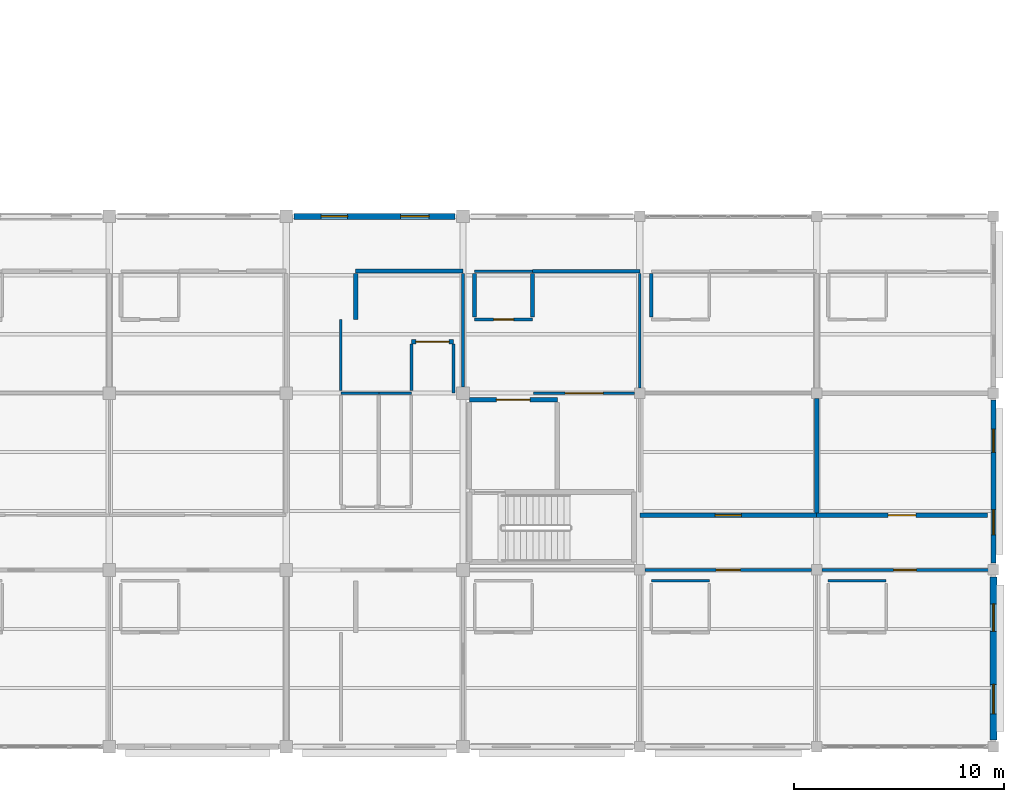
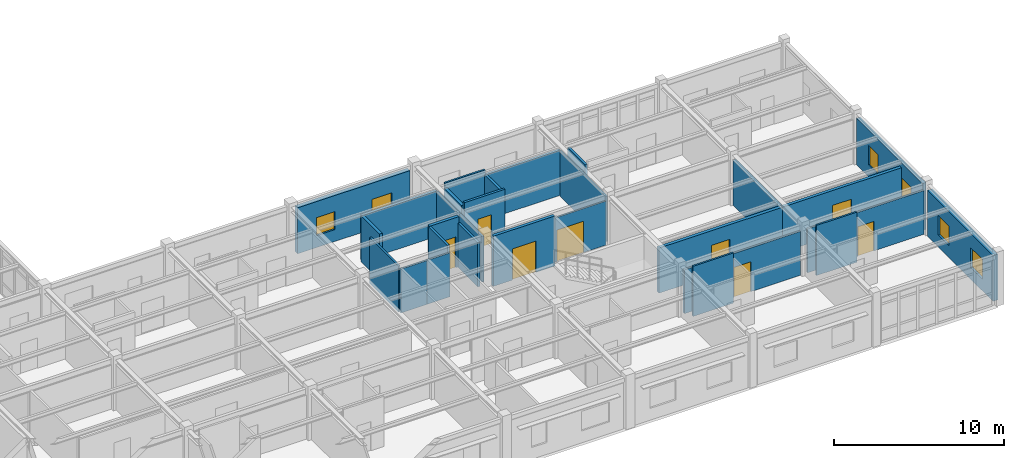
# One storey, part 66 of 86: 28 walls, 8 doors, 6 windows, 14 openings.
"""IFC4 building model written with IfcOpenShell, lengths in metres."""

from ifc_helpers import new_model, si_unit, direction, frame, frame_2d, origin, place, context, subcontext, project, spatial, rectangle, extrude, material, layer, layer_set, type_object, element, fill, save


model = new_model("IFC4")

# Units and contexts
model_context = context("Model", 3, precision=1e-05, world=origin(), true_north=direction((0.0, 1.0)))
body_context = subcontext(model_context, "Body", "Model", "MODEL_VIEW")
ifc_project = project(units=[si_unit("LENGTHUNIT", "METRE"), si_unit("AREAUNIT", "SQUARE_METRE"), si_unit("VOLUMEUNIT", "CUBIC_METRE"), si_unit("PLANEANGLEUNIT", "RADIAN"), si_unit("MASSUNIT", "GRAM", prefix="KILO")], contexts=[model_context])

# Site, building, storey
site_placement = place(None, origin())
site = spatial("IfcSite", under=ifc_project, at=site_placement, CompositionType="ELEMENT")
building_placement = place(site_placement, origin())
building = spatial("IfcBuilding", under=site, at=building_placement, Name="Bramfleet General Hospital", CompositionType="ELEMENT")
storey_placement = place(building_placement, frame((0.0, 0.0, 18.60009765625)))
storey = spatial("IfcBuildingStorey", under=building, at=storey_placement, Name="L04", CompositionType="ELEMENT", Elevation=18.60009765625)

# Wall, openings, windows
ifc_material_1 = material(Name="Precast concrete C40/50", Category="concrete")
ifc_layer_1 = layer(ifc_material_1, 0.3349609375, Name="WT-EW-03")
ifc_layer_set_1 = layer_set([ifc_layer_1], Name="Precast concrete C40/50")
wall_type_1 = type_object("IfcWallType", Name="WT-EW-03", PredefinedType="SOLIDWALL", material=ifc_layer_set_1)
wall_1_placement = place(storey_placement, frame((168.0, 8.074951171875, 0.0), z_axis=(0.0, 0.0, 1.0), x_axis=(0.0, -1.0, 0.0)))
wall_1 = element("IfcWall", 1, at=wall_1_placement, inside=storey, type_object=wall_type_1, Name="L04 Exterior Wall 316", PredefinedType="SOLIDWALL", context=body_context, shape_type="SweptSolid", body=[
    extrude(rectangle(XDim=7.75, YDim=0.3349609375, at=frame_2d((3.875, 0.0))), origin(), (0.0, 0.0, 1.0), 3.2998046875),
])
opening_1_placement = place(wall_1_placement, frame((1.28759765625, 0.0, 0.85009765625)))
opening_1 = element("IfcOpeningElement", 2, at=opening_1_placement, cuts=wall_1, Name="Opening W-14", PredefinedType="OPENING", context=body_context, shape_type="SweptSolid", body=[
    extrude(rectangle(XDim=1.300048828125, YDim=1.419921875, at=frame_2d((0.64990234375, 0.7099609375))), frame((0.0, 0.177490234375, 0.0), z_axis=(0.0, -1.0, 0.0), x_axis=(1.0, 0.0, 0.0)), (0.0, 0.0, 1.0), 0.35498046875),
])
opening_2_placement = place(wall_1_placement, frame((5.112548828125, 0.0, 0.85009765625)))
opening_2 = element("IfcOpeningElement", 3, at=opening_2_placement, cuts=wall_1, Name="Opening W-15", PredefinedType="OPENING", context=body_context, shape_type="SweptSolid", body=[
    extrude(rectangle(XDim=1.39990234375, YDim=1.419921875, at=frame_2d((0.699951171875, 0.7099609375))), frame((0.0, 0.177490234375, 0.0), z_axis=(0.0, -1.0, 0.0), x_axis=(1.0, 0.0, 0.0)), (0.0, 0.0, 1.0), 0.35498046875),
])
ifc_material_2 = material(Name="Anodised aluminium and low-E triple glazing", Category="aluminium")
window_type_1 = type_object("IfcWindowType", Name="WIN-W-14", PartitioningType="SINGLE_PANEL", PredefinedType="WINDOW", material=ifc_material_2)
window_1_placement = place(opening_1_placement, origin())
window_1 = element("IfcWindow", 4, at=window_1_placement, inside=storey, type_object=window_type_1, Name="L04 Facade Window WIN-L04-316-1", OverallHeight=1.419921875, OverallWidth=1.300048828125, PartitioningType="SINGLE_PANEL", PredefinedType="WINDOW", context=body_context, shape_type="SweptSolid", body=[
    extrude(rectangle(XDim=1.300048828125, YDim=1.419921875, at=frame_2d((0.64990234375, 0.7099609375))), frame((0.0, 0.030029296875, 0.0), z_axis=(0.0, -1.0, 0.0), x_axis=(1.0, 0.0, 0.0)), (0.0, 0.0, 1.0), 0.06005859375),
])
fill(opening_1, window_1)
window_type_2 = type_object("IfcWindowType", Name="WIN-W-15", PartitioningType="SINGLE_PANEL", PredefinedType="WINDOW", material=ifc_material_2)
window_2_placement = place(opening_2_placement, origin())
window_2 = element("IfcWindow", 5, at=window_2_placement, inside=storey, type_object=window_type_2, Name="L04 Facade Window WIN-L04-316-2", OverallHeight=1.419921875, OverallWidth=1.39990234375, PartitioningType="SINGLE_PANEL", PredefinedType="WINDOW", context=body_context, shape_type="SweptSolid", body=[
    extrude(rectangle(XDim=1.39990234375, YDim=1.419921875, at=frame_2d((0.699951171875, 0.7099609375))), frame((0.0, 0.030029296875, 0.0), z_axis=(0.0, -1.0, 0.0), x_axis=(1.0, 0.0, 0.0)), (0.0, 0.0, 1.0), 0.06005859375),
])
fill(opening_2, window_2)

ifc_layer_2 = layer(ifc_material_1, 0.294921875, Name="WT-EW-05")
ifc_layer_set_2 = layer_set([ifc_layer_2], Name="Precast concrete C40/50")
wall_type_2 = type_object("IfcWallType", Name="WT-EW-05", PredefinedType="SOLIDWALL", material=ifc_layer_set_2)
wall_2_placement = place(storey_placement, frame((134.77490234375, 25.199951171875, 0.0), z_axis=(0.0, 0.0, 1.0), x_axis=(1.0, 0.0, 0.0)))
wall_2 = element("IfcWall", 6, at=wall_2_placement, inside=storey, type_object=wall_type_2, Name="L04 Exterior Wall 311", PredefinedType="SOLIDWALL", context=body_context, shape_type="SweptSolid", body=[
    extrude(rectangle(XDim=7.650146484375, YDim=0.294921875, at=frame_2d((3.8251953125, 0.0))), origin(), (0.0, 0.0, 1.0), 3.309814453125),
])
opening_3_placement = place(wall_2_placement, frame((1.28759765625, 0.0, 0.85009765625)))
opening_3 = element("IfcOpeningElement", 7, at=opening_3_placement, cuts=wall_2, Name="Opening W-04", PredefinedType="OPENING", context=body_context, shape_type="SweptSolid", body=[
    extrude(rectangle(XDim=1.25, YDim=1.300048828125, at=frame_2d((0.625, 0.64990234375))), frame((0.0, 0.157470703125, 0.0), z_axis=(0.0, -1.0, 0.0), x_axis=(1.0, 0.0, 0.0)), (0.0, 0.0, 1.0), 0.31494140625),
])
opening_4_placement = place(wall_2_placement, frame((5.0625, 0.0, 0.85009765625)))
opening_4 = element("IfcOpeningElement", 8, at=opening_4_placement, cuts=wall_2, Name="Opening W-05", PredefinedType="OPENING", context=body_context, shape_type="SweptSolid", body=[
    extrude(rectangle(XDim=1.35009765625, YDim=1.300048828125, at=frame_2d((0.675048828125, 0.64990234375))), frame((0.0, 0.157470703125, 0.0), z_axis=(0.0, -1.0, 0.0), x_axis=(1.0, 0.0, 0.0)), (0.0, 0.0, 1.0), 0.31494140625),
])
window_type_3 = type_object("IfcWindowType", Name="WIN-W-04", PartitioningType="SINGLE_PANEL", PredefinedType="WINDOW", material=ifc_material_2)
window_3_placement = place(opening_3_placement, origin())
window_3 = element("IfcWindow", 9, at=window_3_placement, inside=storey, type_object=window_type_3, Name="L04 Facade Window WIN-L04-311-1", OverallHeight=1.300048828125, OverallWidth=1.25, PartitioningType="SINGLE_PANEL", PredefinedType="WINDOW", context=body_context, shape_type="SweptSolid", body=[
    extrude(rectangle(XDim=1.25, YDim=1.300048828125, at=frame_2d((0.625, 0.64990234375))), frame((0.0, 0.030029296875, 0.0), z_axis=(0.0, -1.0, 0.0), x_axis=(1.0, 0.0, 0.0)), (0.0, 0.0, 1.0), 0.06005859375),
])
fill(opening_3, window_3)
window_type_4 = type_object("IfcWindowType", Name="WIN-W-05", PartitioningType="SINGLE_PANEL", PredefinedType="WINDOW", material=ifc_material_2)
window_4_placement = place(opening_4_placement, origin())
window_4 = element("IfcWindow", 10, at=window_4_placement, inside=storey, type_object=window_type_4, Name="L04 Facade Window WIN-L04-311-2", OverallHeight=1.300048828125, OverallWidth=1.35009765625, PartitioningType="SINGLE_PANEL", PredefinedType="WINDOW", context=body_context, shape_type="SweptSolid", body=[
    extrude(rectangle(XDim=1.35009765625, YDim=1.300048828125, at=frame_2d((0.675048828125, 0.64990234375))), frame((0.0, 0.030029296875, 0.0), z_axis=(0.0, -1.0, 0.0), x_axis=(1.0, 0.0, 0.0)), (0.0, 0.0, 1.0), 0.06005859375),
])
fill(opening_4, window_4)

ifc_layer_3 = layer(ifc_material_1, 0.235107421875, Name="WT-EW-09")
ifc_layer_set_3 = layer_set([ifc_layer_3], Name="Precast concrete C40/50")
wall_type_3 = type_object("IfcWallType", Name="WT-EW-09", PredefinedType="SOLIDWALL", material=ifc_layer_set_3)
wall_3_placement = place(storey_placement, frame((168.0, 16.47509765625, 0.0), z_axis=(0.0, 0.0, 1.0), x_axis=(0.0, -1.0, 0.0)))
wall_3 = element("IfcWall", 11, at=wall_3_placement, inside=storey, type_object=wall_type_3, Name="L04 Exterior Wall 315", PredefinedType="SOLIDWALL", context=body_context, shape_type="SweptSolid", body=[
    extrude(rectangle(XDim=7.75, YDim=0.235107421875, at=frame_2d((3.875, 0.0))), origin(), (0.0, 0.0, 1.0), 3.369873046875),
])
opening_5_placement = place(wall_3_placement, frame((1.387451171875, 0.0, 0.85009765625)))
opening_5 = element("IfcOpeningElement", 12, at=opening_5_placement, cuts=wall_3, Name="Opening W-12", PredefinedType="OPENING", context=body_context, shape_type="SweptSolid", body=[
    extrude(rectangle(XDim=1.10009765625, YDim=1.419921875, at=frame_2d((0.550048828125, 0.7099609375))), frame((0.0, 0.12744140625, 0.0), z_axis=(0.0, -1.0, 0.0), x_axis=(1.0, 0.0, 0.0)), (0.0, 0.0, 1.0), 0.255126953125),
])
opening_6_placement = place(wall_3_placement, frame((5.21240234375, 0.0, 0.85009765625)))
opening_6 = element("IfcOpeningElement", 13, at=opening_6_placement, cuts=wall_3, Name="Opening W-13", PredefinedType="OPENING", context=body_context, shape_type="SweptSolid", body=[
    extrude(rectangle(XDim=1.199951171875, YDim=1.419921875, at=frame_2d((0.60009765625, 0.7099609375))), frame((0.0, 0.12744140625, 0.0), z_axis=(0.0, -1.0, 0.0), x_axis=(1.0, 0.0, 0.0)), (0.0, 0.0, 1.0), 0.255126953125),
])
window_type_5 = type_object("IfcWindowType", Name="WIN-W-12", PartitioningType="SINGLE_PANEL", PredefinedType="WINDOW", material=ifc_material_2)
window_5_placement = place(opening_5_placement, origin())
window_5 = element("IfcWindow", 14, at=window_5_placement, inside=storey, type_object=window_type_5, Name="L04 Facade Window WIN-L04-315-1", OverallHeight=1.419921875, OverallWidth=1.10009765625, PartitioningType="SINGLE_PANEL", PredefinedType="WINDOW", context=body_context, shape_type="SweptSolid", body=[
    extrude(rectangle(XDim=1.10009765625, YDim=1.419921875, at=frame_2d((0.550048828125, 0.7099609375))), frame((0.0, 0.030029296875, 0.0), z_axis=(0.0, -1.0, 0.0), x_axis=(1.0, 0.0, 0.0)), (0.0, 0.0, 1.0), 0.06005859375),
])
fill(opening_5, window_5)
window_type_6 = type_object("IfcWindowType", Name="WIN-W-13", PartitioningType="SINGLE_PANEL", PredefinedType="WINDOW", material=ifc_material_2)
window_6_placement = place(opening_6_placement, origin())
window_6 = element("IfcWindow", 15, at=window_6_placement, inside=storey, type_object=window_type_6, Name="L04 Facade Window WIN-L04-315-2", OverallHeight=1.419921875, OverallWidth=1.199951171875, PartitioningType="SINGLE_PANEL", PredefinedType="WINDOW", context=body_context, shape_type="SweptSolid", body=[
    extrude(rectangle(XDim=1.199951171875, YDim=1.419921875, at=frame_2d((0.60009765625, 0.7099609375))), frame((0.0, 0.030029296875, 0.0), z_axis=(0.0, -1.0, 0.0), x_axis=(1.0, 0.0, 0.0)), (0.0, 0.0, 1.0), 0.06005859375),
])
fill(opening_6, window_6)

# Wall, opening, door
ifc_material_3 = material(Name="Concrete C35/45", Category="concrete")
ifc_layer_4 = layer(ifc_material_3, 0.219970703125, Name="WT-IW-01")
ifc_layer_set_4 = layer_set([ifc_layer_4], Name="Concrete C35/45")
wall_type_4 = type_object("IfcWallType", Name="WT-IW-01", PredefinedType="PARTITIONING", material=ifc_layer_set_4)
wall_4_placement = place(storey_placement, frame((151.199951171875, 11.0, 0.0), z_axis=(0.0, 0.0, 1.0), x_axis=(1.0, 0.0, 0.0)))
wall_4 = element("IfcWall", 16, at=wall_4_placement, inside=storey, type_object=wall_type_4, Name="L04 Interior Partition IW-L04-3097", PredefinedType="PARTITIONING", context=body_context, shape_type="SweptSolid", body=[
    extrude(rectangle(XDim=8.400146484375, YDim=0.219970703125, at=frame_2d((4.2001953125, 0.0))), origin(), (0.0, 0.0, 1.0), 3.25),
])
opening_7_placement = place(wall_4_placement, frame((3.574951171875, 0.0, 0.0)))
opening_7 = element("IfcOpeningElement", 17, at=opening_7_placement, cuts=wall_4, Name="Opening D1326", PredefinedType="OPENING", context=body_context, shape_type="SweptSolid", body=[
    extrude(rectangle(XDim=1.25, YDim=2.199951171875, at=frame_2d((0.625, 1.10009765625))), frame((0.0, 0.119873046875, 0.0), z_axis=(0.0, -1.0, 0.0), x_axis=(1.0, 0.0, 0.0)), (0.0, 0.0, 1.0), 0.239990234375),
])
ifc_material_4 = material(Name="Stainless steel and acoustic timber leaf", Category="steel")
door_type_1 = type_object("IfcDoorType", Name="DR-D-14", OperationType="NOTDEFINED", PredefinedType="DOOR", material=ifc_material_4)
door_1_placement = place(opening_7_placement, origin())
door_1 = element("IfcDoor", 18, at=door_1_placement, inside=storey, type_object=door_type_1, Name="Ward Linen and Clean Utility L04-1801 Door D1326", OperationType="SINGLE_SWING_LEFT", OverallHeight=2.199951171875, OverallWidth=1.25, PredefinedType="DOOR", context=body_context, shape_type="SweptSolid", body=[
    extrude(rectangle(XDim=1.25, YDim=2.199951171875, at=frame_2d((0.625, 1.10009765625))), frame((0.0, 0.02490234375, 0.0), z_axis=(0.0, -1.0, 0.0), x_axis=(1.0, 0.0, 0.0)), (0.0, 0.0, 1.0), 0.050048828125),
])
fill(opening_7, door_1)

# Wall
wall_5_placement = place(storey_placement, frame((159.60009765625, 11.114990234375, 0.0), z_axis=(0.0, 0.0, 1.0), x_axis=(0.0, 1.0, 0.0)))
element("IfcWall", 19, at=wall_5_placement, inside=storey, type_object=wall_type_4, Name="L04 Interior Partition IW-L04-3481", PredefinedType="PARTITIONING", context=body_context, shape_type="SweptSolid", body=[
    extrude(rectangle(XDim=5.43994140625, YDim=0.219970703125, at=frame_2d((2.719970703125, 0.0))), origin(), (0.0, 0.0, 1.0), 3.25),
])

# Wall, opening, door
ifc_layer_5 = layer(ifc_material_3, 0.205078125, Name="WT-IW-02")
ifc_layer_set_5 = layer_set([ifc_layer_5], Name="Concrete C35/45")
wall_type_5 = type_object("IfcWallType", Name="WT-IW-02", PredefinedType="PARTITIONING", material=ifc_layer_set_5)
wall_6_placement = place(storey_placement, frame((143.10009765625, 16.47998046875, 0.0), z_axis=(0.0, 0.0, 1.0), x_axis=(1.0, 0.0, 0.0)))
wall_6 = element("IfcWall", 20, at=wall_6_placement, inside=storey, type_object=wall_type_5, Name="L04 C10 Lobby North Compartment Wall", PredefinedType="PARTITIONING", context=body_context, shape_type="SweptSolid", body=[
    extrude(rectangle(XDim=4.179931640625, YDim=0.205078125, at=frame_2d((2.08984375, 0.0))), origin(), (0.0, 0.0, 1.0), 3.60986328125),
])
opening_8_placement = place(wall_6_placement, frame((1.2900390625, 0.0, 0.0)))
opening_8 = element("IfcOpeningElement", 21, at=opening_8_placement, cuts=wall_6, Name="Opening D0134", PredefinedType="OPENING", context=body_context, shape_type="SweptSolid", body=[
    extrude(rectangle(XDim=1.60009765625, YDim=2.25, at=frame_2d((0.800048828125, 1.125))), frame((0.0, 0.112548828125, 0.0), z_axis=(0.0, -1.0, 0.0), x_axis=(1.0, 0.0, 0.0)), (0.0, 0.0, 1.0), 0.22509765625),
])
door_type_2 = type_object("IfcDoorType", Name="DR-D-04", OperationType="NOTDEFINED", PredefinedType="DOOR", material=ifc_material_4)
door_2_placement = place(opening_8_placement, origin())
door_2 = element("IfcDoor", 22, at=door_2_placement, inside=storey, type_object=door_type_2, Name="L04 C10 Lobby Fire Door D0134", OperationType="DOUBLE_SWING_LEFT", OverallHeight=2.25, OverallWidth=1.60009765625, PredefinedType="DOOR", context=body_context, shape_type="SweptSolid", body=[
    extrude(rectangle(XDim=1.60009765625, YDim=2.25, at=frame_2d((0.800048828125, 1.125))), frame((0.0, 0.02490234375, 0.0), z_axis=(0.0, -1.0, 0.0), x_axis=(1.0, 0.0, 0.0)), (0.0, 0.0, 1.0), 0.050048828125),
])
fill(opening_8, door_2)

wall_7_placement = place(storey_placement, frame((159.60009765625, 11.0, 0.0), z_axis=(0.0, 0.0, 1.0), x_axis=(1.0, 0.0, 0.0)))
wall_7 = element("IfcWall", 23, at=wall_7_placement, inside=storey, type_object=wall_type_5, Name="L04 Interior Partition IW-L04-3098", PredefinedType="PARTITIONING", context=body_context, shape_type="SweptSolid", body=[
    extrude(rectangle(XDim=8.119873046875, YDim=0.205078125, at=frame_2d((4.06005859375, 0.0))), origin(), (0.0, 0.0, 1.0), 3.25),
])
opening_9_placement = place(wall_7_placement, frame((3.39990234375, 0.0, 0.0)))
opening_9 = element("IfcOpeningElement", 24, at=opening_9_placement, cuts=wall_7, Name="Opening D1336", PredefinedType="OPENING", context=body_context, shape_type="SweptSolid", body=[
    extrude(rectangle(XDim=1.320068359375, YDim=2.179931640625, at=frame_2d((0.66015625, 1.08984375))), frame((0.0, 0.112548828125, 0.0), z_axis=(0.0, -1.0, 0.0), x_axis=(1.0, 0.0, 0.0)), (0.0, 0.0, 1.0), 0.22509765625),
])
door_type_3 = type_object("IfcDoorType", Name="DR-D-24", OperationType="NOTDEFINED", PredefinedType="DOOR", material=ifc_material_4)
door_3_placement = place(opening_9_placement, origin())
door_3 = element("IfcDoor", 25, at=door_3_placement, inside=storey, type_object=door_type_3, Name="Surgical Inpatient Ward Nurse Station L04-1901 Door D1336", OperationType="SINGLE_SWING_LEFT", OverallHeight=2.179931640625, OverallWidth=1.320068359375, PredefinedType="DOOR", context=body_context, shape_type="SweptSolid", body=[
    extrude(rectangle(XDim=1.320068359375, YDim=2.179931640625, at=frame_2d((0.66015625, 1.08984375))), frame((0.0, 0.02490234375, 0.0), z_axis=(0.0, -1.0, 0.0), x_axis=(1.0, 0.0, 0.0)), (0.0, 0.0, 1.0), 0.050048828125),
])
fill(opening_9, door_3)

wall_8_placement = place(storey_placement, frame((140.35009765625, 19.25, 0.0), z_axis=(0.0, 0.0, 1.0), x_axis=(1.0, 0.0, 0.0)))
wall_8 = element("IfcWall", 26, at=wall_8_placement, inside=storey, type_object=wall_type_5, Name="L04 Interior Partition IW-L04-3110", PredefinedType="PARTITIONING", context=body_context, shape_type="SweptSolid", body=[
    extrude(rectangle(XDim=2.0, YDim=0.205078125, at=frame_2d((1.0, 0.0))), origin(), (0.0, 0.0, 1.0), 3.60986328125),
])
opening_10_placement = place(wall_8_placement, frame((0.2099609375, 0.0, 0.0)))
opening_10 = element("IfcOpeningElement", 27, at=opening_10_placement, cuts=wall_8, Name="Opening D1312", PredefinedType="OPENING", context=body_context, shape_type="SweptSolid", body=[
    extrude(rectangle(XDim=1.580078125, YDim=2.219970703125, at=frame_2d((0.7900390625, 1.10986328125))), frame((0.0, 0.112548828125, 0.0), z_axis=(0.0, -1.0, 0.0), x_axis=(1.0, 0.0, 0.0)), (0.0, 0.0, 1.0), 0.22509765625),
])
door_type_4 = type_object("IfcDoorType", Name="DR-D-32", OperationType="NOTDEFINED", PredefinedType="DOOR", material=ifc_material_4)
door_4_placement = place(opening_10_placement, origin())
door_4 = element("IfcDoor", 28, at=door_4_placement, inside=storey, type_object=door_type_4, Name="Surgical Inpatient Ward Bedroom L04-1602 Door D1312", OperationType="DOUBLE_SWING_LEFT", OverallHeight=2.219970703125, OverallWidth=1.580078125, PredefinedType="DOOR", context=body_context, shape_type="SweptSolid", body=[
    extrude(rectangle(XDim=1.580078125, YDim=2.219970703125, at=frame_2d((0.7900390625, 1.10986328125))), frame((0.0, 0.02490234375, 0.0), z_axis=(0.0, -1.0, 0.0), x_axis=(1.0, 0.0, 0.0)), (0.0, 0.0, 1.0), 0.050048828125),
])
fill(opening_10, door_4)

# Walls
wall_9_placement = place(storey_placement, frame((137.699951171875, 20.300048828125, 0.0), z_axis=(0.0, 0.0, 1.0), x_axis=(0.0, 1.0, 0.0)))
element("IfcWall", 29, at=wall_9_placement, inside=storey, type_object=wall_type_5, Name="L04 Interior Partition IW-L04-3446", PredefinedType="PARTITIONING", context=body_context, shape_type="SweptSolid", body=[
    extrude(rectangle(XDim=2.18505859375, YDim=0.205078125, at=frame_2d((1.092529296875, 0.0))), origin(), (0.0, 0.0, 1.0), 3.309814453125),
])
wall_10_placement = place(storey_placement, frame((143.35009765625, 20.4150390625, 0.0), z_axis=(0.0, 0.0, 1.0), x_axis=(0.0, 1.0, 0.0)))
element("IfcWall", 30, at=wall_10_placement, inside=storey, type_object=wall_type_5, Name="L04 Interior Partition IW-L04-3458", PredefinedType="PARTITIONING", context=body_context, shape_type="SweptSolid", body=[
    extrude(rectangle(XDim=2.070068359375, YDim=0.205078125, at=frame_2d((1.03515625, 0.0))), origin(), (0.0, 0.0, 1.0), 3.309814453125),
])
ifc_layer_6 = layer(ifc_material_3, 0.179931640625, Name="WT-IW-04")
ifc_layer_set_6 = layer_set([ifc_layer_6], Name="Concrete C35/45")
wall_type_6 = type_object("IfcWallType", Name="WT-IW-04", PredefinedType="PARTITIONING", material=ifc_layer_set_6)
wall_11_placement = place(storey_placement, frame((137.699951171875, 22.60009765625, 0.0), z_axis=(0.0, 0.0, 1.0), x_axis=(1.0, 0.0, 0.0)))
element("IfcWall", 31, at=wall_11_placement, inside=storey, type_object=wall_type_6, Name="L04 Interior Partition IW-L04-3124", PredefinedType="PARTITIONING", context=body_context, shape_type="SweptSolid", body=[
    extrude(rectangle(XDim=5.10009765625, YDim=0.179931640625, at=frame_2d((2.550048828125, 0.0))), origin(), (0.0, 0.0, 1.0), 3.260009765625),
])
ifc_material_5 = material(Name="Gypsum plasterboard on acoustic steel studs", Category="steel")
ifc_layer_7 = layer(ifc_material_5, 0.169921875, Name="WT-IW-05")
ifc_layer_set_7 = layer_set([ifc_layer_7], Name="Gypsum plasterboard on acoustic steel studs")
wall_type_7 = type_object("IfcWallType", Name="WT-IW-05", PredefinedType="PARTITIONING", material=ifc_layer_set_7)
wall_12_placement = place(storey_placement, frame((146.10009765625, 20.4150390625, 0.0), z_axis=(0.0, 0.0, 1.0), x_axis=(0.0, 1.0, 0.0)))
element("IfcWall", 32, at=wall_12_placement, inside=storey, type_object=wall_type_7, Name="L04 Interior Partition IW-L04-3461", PredefinedType="PARTITIONING", context=body_context, shape_type="SweptSolid", body=[
    extrude(rectangle(XDim=2.070068359375, YDim=0.169921875, at=frame_2d((1.03515625, 0.0))), origin(), (0.0, 0.0, 1.0), 3.309814453125),
])
wall_13_placement = place(storey_placement, frame((151.75, 20.4150390625, 0.0), z_axis=(0.0, 0.0, 1.0), x_axis=(0.0, 1.0, 0.0)))
element("IfcWall", 33, at=wall_13_placement, inside=storey, type_object=wall_type_7, Name="L04 Interior Partition IW-L04-3473", PredefinedType="PARTITIONING", context=body_context, shape_type="SweptSolid", body=[
    extrude(rectangle(XDim=2.070068359375, YDim=0.169921875, at=frame_2d((1.03515625, 0.0))), origin(), (0.0, 0.0, 1.0), 3.2998046875),
])

# Wall, opening, door
ifc_layer_8 = layer(ifc_material_5, 0.159912109375, Name="WT-IW-06")
ifc_layer_set_8 = layer_set([ifc_layer_8], Name="Gypsum plasterboard on acoustic steel studs")
wall_type_8 = type_object("IfcWallType", Name="WT-IW-06", PredefinedType="PARTITIONING", material=ifc_layer_set_8)
wall_14_placement = place(storey_placement, frame((143.35009765625, 20.300048828125, 0.0), z_axis=(0.0, 0.0, 1.0), x_axis=(1.0, 0.0, 0.0)))
wall_14 = element("IfcWall", 34, at=wall_14_placement, inside=storey, type_object=wall_type_8, Name="L04 Interior Partition IW-L04-3114", PredefinedType="PARTITIONING", context=body_context, shape_type="SweptSolid", body=[
    extrude(rectangle(XDim=2.75, YDim=0.159912109375, at=frame_2d((1.375, 0.0))), origin(), (0.0, 0.0, 1.0), 3.60986328125),
])
opening_11_placement = place(wall_14_placement, frame((0.89990234375, 0.0, 0.0)))
opening_11 = element("IfcOpeningElement", 35, at=opening_11_placement, cuts=wall_14, Name="Opening D1318", PredefinedType="OPENING", context=body_context, shape_type="SweptSolid", body=[
    extrude(rectangle(XDim=0.949951171875, YDim=2.10009765625, at=frame_2d((0.47509765625, 1.050048828125))), frame((0.0, 0.08984375, 0.0), z_axis=(0.0, -1.0, 0.0), x_axis=(1.0, 0.0, 0.0)), (0.0, 0.0, 1.0), 0.179931640625),
])
door_type_5 = type_object("IfcDoorType", Name="DR-D-10", OperationType="NOTDEFINED", PredefinedType="DOOR", material=ifc_material_4)
door_5_placement = place(opening_11_placement, origin())
door_5 = element("IfcDoor", 36, at=door_5_placement, inside=storey, type_object=door_type_5, Name="En-Suite Bathroom L04-1702 Door D1318", OperationType="SINGLE_SWING_LEFT", OverallHeight=2.10009765625, OverallWidth=0.949951171875, PredefinedType="DOOR", context=body_context, shape_type="SweptSolid", body=[
    extrude(rectangle(XDim=0.949951171875, YDim=2.10009765625, at=frame_2d((0.47509765625, 1.050048828125))), frame((0.0, 0.02490234375, 0.0), z_axis=(0.0, -1.0, 0.0), x_axis=(1.0, 0.0, 0.0)), (0.0, 0.0, 1.0), 0.050048828125),
])
fill(opening_11, door_5)

# Walls
wall_15_placement = place(storey_placement, frame((146.10009765625, 22.60009765625, 0.0), z_axis=(0.0, 0.0, 1.0), x_axis=(1.0, 0.0, 0.0)))
element("IfcWall", 37, at=wall_15_placement, inside=storey, type_object=wall_type_8, Name="L04 Interior Partition IW-L04-3126", PredefinedType="PARTITIONING", context=body_context, shape_type="SweptSolid", body=[
    extrude(rectangle(XDim=5.099853515625, YDim=0.159912109375, at=frame_2d((2.5498046875, 0.0))), origin(), (0.0, 0.0, 1.0), 3.25),
])
wall_16_placement = place(storey_placement, frame((140.35009765625, 16.9150390625, 0.0), z_axis=(0.0, 0.0, 1.0), x_axis=(0.0, 1.0, 0.0)))
element("IfcWall", 38, at=wall_16_placement, inside=storey, type_object=wall_type_8, Name="L04 Interior Partition IW-L04-3450", PredefinedType="PARTITIONING", context=body_context, shape_type="SweptSolid", body=[
    extrude(rectangle(XDim=2.219970703125, YDim=0.159912109375, at=frame_2d((1.10986328125, 0.0))), origin(), (0.0, 0.0, 1.0), 3.60986328125),
])

# Wall, opening, door
ifc_layer_9 = layer(ifc_material_5, 0.14990234375, Name="WT-IW-07")
ifc_layer_set_9 = layer_set([ifc_layer_9], Name="Gypsum plasterboard on acoustic steel studs")
wall_type_9 = type_object("IfcWallType", Name="WT-IW-07", PredefinedType="PARTITIONING", material=ifc_layer_set_9)
wall_17_placement = place(storey_placement, frame((151.445068359375, 8.39990234375, 0.0), z_axis=(0.0, 0.0, 1.0), x_axis=(1.0, 0.0, 0.0)))
wall_17 = element("IfcWall", 39, at=wall_17_placement, inside=storey, type_object=wall_type_9, Name="L04 Interior Partition IW-L04-3091", PredefinedType="PARTITIONING", context=body_context, shape_type="SweptSolid", body=[
    extrude(rectangle(XDim=7.909912109375, YDim=0.14990234375, at=frame_2d((3.955078125, 0.0))), origin(), (0.0, 0.0, 1.0), 3.14990234375),
])
opening_12_placement = place(wall_17_placement, frame((3.3798828125, 0.0, 0.0)))
opening_12 = element("IfcOpeningElement", 40, at=opening_12_placement, cuts=wall_17, Name="Opening D1324", PredefinedType="OPENING", context=body_context, shape_type="SweptSolid", body=[
    extrude(rectangle(XDim=1.14990234375, YDim=2.14990234375, at=frame_2d((0.574951171875, 1.074951171875))), frame((0.0, 0.0849609375, 0.0), z_axis=(0.0, -1.0, 0.0), x_axis=(1.0, 0.0, 0.0)), (0.0, 0.0, 1.0), 0.169921875),
])
door_type_6 = type_object("IfcDoorType", Name="DR-D-12", OperationType="NOTDEFINED", PredefinedType="DOOR", material=ifc_material_4)
door_6_placement = place(opening_12_placement, origin())
door_6 = element("IfcDoor", 41, at=door_6_placement, inside=storey, type_object=door_type_6, Name="Surgical Inpatient Ward Bedroom L04-1800 Door D1324", OperationType="SINGLE_SWING_LEFT", OverallHeight=2.14990234375, OverallWidth=1.14990234375, PredefinedType="DOOR", context=body_context, shape_type="SweptSolid", body=[
    extrude(rectangle(XDim=1.14990234375, YDim=2.14990234375, at=frame_2d((0.574951171875, 1.074951171875))), frame((0.0, 0.02490234375, 0.0), z_axis=(0.0, -1.0, 0.0), x_axis=(1.0, 0.0, 0.0)), (0.0, 0.0, 1.0), 0.050048828125),
])
fill(opening_12, door_6)

# Wall
wall_18_placement = place(storey_placement, frame((142.35009765625, 16.800048828125, 0.0), z_axis=(0.0, 0.0, 1.0), x_axis=(0.0, 1.0, 0.0)))
element("IfcWall", 42, at=wall_18_placement, inside=storey, type_object=wall_type_9, Name="L04 Interior Partition IW-L04-3451", PredefinedType="PARTITIONING", context=body_context, shape_type="SweptSolid", body=[
    extrude(rectangle(XDim=2.3349609375, YDim=0.14990234375, at=frame_2d((1.16748046875, 0.0))), origin(), (0.0, 0.0, 1.0), 3.159912109375),
])

# Wall, opening, door
ifc_layer_10 = layer(ifc_material_5, 0.139892578125, Name="WT-IW-08")
ifc_layer_set_10 = layer_set([ifc_layer_10], Name="Gypsum plasterboard on acoustic steel studs")
wall_type_10 = type_object("IfcWallType", Name="WT-IW-08", PredefinedType="PARTITIONING", material=ifc_layer_set_10)
wall_19_placement = place(storey_placement, frame((159.844970703125, 8.39990234375, 0.0), z_axis=(0.0, 0.0, 1.0), x_axis=(1.0, 0.0, 0.0)))
wall_19 = element("IfcWall", 43, at=wall_19_placement, inside=storey, type_object=wall_type_10, Name="L04 Interior Partition IW-L04-3092", PredefinedType="PARTITIONING", context=body_context, shape_type="SweptSolid", body=[
    extrude(rectangle(XDim=7.909912109375, YDim=0.139892578125, at=frame_2d((3.955078125, 0.0))), origin(), (0.0, 0.0, 1.0), 3.14990234375),
])
opening_13_placement = place(wall_19_placement, frame((3.4150390625, 0.0, 0.0)))
opening_13 = element("IfcOpeningElement", 44, at=opening_13_placement, cuts=wall_19, Name="Opening D1334", PredefinedType="OPENING", context=body_context, shape_type="SweptSolid", body=[
    extrude(rectangle(XDim=1.080078125, YDim=2.1201171875, at=frame_2d((0.5400390625, 1.06005859375))), frame((0.0, 0.079833984375, 0.0), z_axis=(0.0, -1.0, 0.0), x_axis=(1.0, 0.0, 0.0)), (0.0, 0.0, 1.0), 0.159912109375),
])
door_type_7 = type_object("IfcDoorType", Name="DR-D-22", OperationType="NOTDEFINED", PredefinedType="DOOR", material=ifc_material_4)
door_7_placement = place(opening_13_placement, origin())
door_7 = element("IfcDoor", 45, at=door_7_placement, inside=storey, type_object=door_type_7, Name="Surgical Inpatient Ward Bedroom L04-1900 Door D1334", OperationType="SINGLE_SWING_LEFT", OverallHeight=2.1201171875, OverallWidth=1.080078125, PredefinedType="DOOR", context=body_context, shape_type="SweptSolid", body=[
    extrude(rectangle(XDim=1.080078125, YDim=2.1201171875, at=frame_2d((0.5400390625, 1.06005859375))), frame((0.0, 0.02490234375, 0.0), z_axis=(0.0, -1.0, 0.0), x_axis=(1.0, 0.0, 0.0)), (0.0, 0.0, 1.0), 0.050048828125),
])
fill(opening_13, door_7)

# Walls
ifc_layer_11 = layer(ifc_material_5, 0.1298828125, Name="WT-IW-09")
ifc_layer_set_11 = layer_set([ifc_layer_11], Name="Gypsum plasterboard on acoustic steel studs")
wall_type_11 = type_object("IfcWallType", Name="WT-IW-09", PredefinedType="PARTITIONING", material=ifc_layer_set_11)
wall_20_placement = place(storey_placement, frame((137.0, 16.800048828125, 0.0), z_axis=(0.0, 0.0, 1.0), x_axis=(1.0, 0.0, 0.0)))
element("IfcWall", 46, at=wall_20_placement, inside=storey, type_object=wall_type_11, Name="L04 Interior Partition IW-L04-3105", PredefinedType="PARTITIONING", context=body_context, shape_type="SweptSolid", body=[
    extrude(rectangle(XDim=1.800048828125, YDim=0.1298828125, at=frame_2d((0.89990234375, 0.0))), origin(), (0.0, 0.0, 1.0), 3.159912109375),
])
wall_21_placement = place(storey_placement, frame((142.800048828125, 17.094970703125, 0.0), z_axis=(0.0, 0.0, 1.0), x_axis=(0.0, 1.0, 0.0)))
element("IfcWall", 47, at=wall_21_placement, inside=storey, type_object=wall_type_11, Name="L04 Interior Partition IW-L04-3453", PredefinedType="PARTITIONING", context=body_context, shape_type="SweptSolid", body=[
    extrude(rectangle(XDim=5.39013671875, YDim=0.1298828125, at=frame_2d((2.695068359375, 0.0))), origin(), (0.0, 0.0, 1.0), 3.260009765625),
])
ifc_layer_12 = layer(ifc_material_5, 0.1201171875, Name="WT-IW-10")
ifc_layer_set_12 = layer_set([ifc_layer_12], Name="Gypsum plasterboard on acoustic steel studs")
wall_type_12 = type_object("IfcWallType", Name="WT-IW-10", PredefinedType="PARTITIONING", material=ifc_layer_set_12)
for number, where, z_axis, x_axis, name in (
    (48, (151.75, 7.8798828125, 0.0), (0.0, 0.0, 1.0), (1.0, 0.0, 0.0), "L04 Interior Partition IW-L04-3082"),
    (49, (160.14990234375, 7.8798828125, 0.0), (0.0, 0.0, 1.0), (1.0, 0.0, 0.0), "L04 Interior Partition IW-L04-3083"),
):
    element("IfcWall", number, at=place(storey_placement, frame(where, z_axis=z_axis, x_axis=x_axis)), inside=storey, type_object=wall_type_12, Name=name, PredefinedType="PARTITIONING", context=body_context, shape_type="SweptSolid", body=[
        extrude(rectangle(XDim=2.75, YDim=0.1201171875, at=frame_2d((1.375, 0.0))), origin(), (0.0, 0.0, 1.0), 3.60986328125),
    ])
wall_22_placement = place(storey_placement, frame((138.800048828125, 16.800048828125, 0.0), z_axis=(0.0, 0.0, 1.0), x_axis=(1.0, 0.0, 0.0)))
element("IfcWall", 50, at=wall_22_placement, inside=storey, type_object=wall_type_12, Name="L04 Interior Partition IW-L04-3106", PredefinedType="PARTITIONING", context=body_context, shape_type="SweptSolid", body=[
    extrude(rectangle(XDim=1.550048828125, YDim=0.1201171875, at=frame_2d((0.77490234375, 0.0))), origin(), (0.0, 0.0, 1.0), 3.159912109375),
])
wall_23_placement = place(storey_placement, frame((143.35009765625, 22.60009765625, 0.0), z_axis=(0.0, 0.0, 1.0), x_axis=(1.0, 0.0, 0.0)))
element("IfcWall", 51, at=wall_23_placement, inside=storey, type_object=wall_type_12, Name="L04 Interior Partition IW-L04-3125", PredefinedType="PARTITIONING", context=body_context, shape_type="SweptSolid", body=[
    extrude(rectangle(XDim=2.75, YDim=0.1201171875, at=frame_2d((1.375, 0.0))), origin(), (0.0, 0.0, 1.0), 3.60986328125),
])
wall_24_placement = place(storey_placement, frame((137.0, 16.9150390625, 0.0), z_axis=(0.0, 0.0, 1.0), x_axis=(0.0, 1.0, 0.0)))
element("IfcWall", 52, at=wall_24_placement, inside=storey, type_object=wall_type_12, Name="L04 Interior Partition IW-L04-3442", PredefinedType="PARTITIONING", context=body_context, shape_type="SweptSolid", body=[
    extrude(rectangle(XDim=3.385009765625, YDim=0.1201171875, at=frame_2d((1.6923828125, 0.0))), origin(), (0.0, 0.0, 1.0), 3.309814453125),
])
wall_25_placement = place(storey_placement, frame((151.199951171875, 17.044921875, 0.0), z_axis=(0.0, 0.0, 1.0), x_axis=(0.0, 1.0, 0.0)))
element("IfcWall", 53, at=wall_25_placement, inside=storey, type_object=wall_type_12, Name="L04 Interior Partition IW-L04-3466", PredefinedType="PARTITIONING", context=body_context, shape_type="SweptSolid", body=[
    extrude(rectangle(XDim=5.440185546875, YDim=0.1201171875, at=frame_2d((2.72021484375, 0.0))), origin(), (0.0, 0.0, 1.0), 3.25),
])

# Wall, opening, door
ifc_layer_13 = layer(ifc_material_5, 0.112060546875, Name="WT-IW-11")
ifc_layer_set_13 = layer_set([ifc_layer_13], Name="Gypsum plasterboard on acoustic steel studs")
wall_type_13 = type_object("IfcWallType", Name="WT-IW-11", PredefinedType="PARTITIONING", material=ifc_layer_set_13)
wall_26_placement = place(storey_placement, frame((146.14990234375, 16.800048828125, 0.0), z_axis=(0.0, 0.0, 1.0), x_axis=(1.0, 0.0, 0.0)))
wall_26 = element("IfcWall", 54, at=wall_26_placement, inside=storey, type_object=wall_type_13, Name="L04 Interior Partition IW-L04-3107", PredefinedType="PARTITIONING", context=body_context, shape_type="SweptSolid", body=[
    extrude(rectangle(XDim=4.80517578125, YDim=0.112060546875, at=frame_2d((2.402587890625, 0.0))), origin(), (0.0, 0.0, 1.0), 3.159912109375),
])
opening_14_placement = place(wall_26_placement, frame((1.50244140625, 0.0, 0.0)))
opening_14 = element("IfcOpeningElement", 55, at=opening_14_placement, cuts=wall_26, Name="Opening D1317", PredefinedType="OPENING", context=body_context, shape_type="SweptSolid", body=[
    extrude(rectangle(XDim=1.800048828125, YDim=2.25, at=frame_2d((0.89990234375, 1.125))), frame((0.0, 0.06591796875, 0.0), z_axis=(0.0, -1.0, 0.0), x_axis=(1.0, 0.0, 0.0)), (0.0, 0.0, 1.0), 0.132080078125),
])
door_type_8 = type_object("IfcDoorType", Name="DR-D-05", OperationType="NOTDEFINED", PredefinedType="DOOR", material=ifc_material_4)
door_8_placement = place(opening_14_placement, origin())
door_8 = element("IfcDoor", 56, at=door_8_placement, inside=storey, type_object=door_type_8, Name="Surgical Inpatient Ward Bedroom L04-1702 Door D1317", OperationType="DOUBLE_SWING_RIGHT", OverallHeight=2.25, OverallWidth=1.800048828125, PredefinedType="DOOR", context=body_context, shape_type="SweptSolid", body=[
    extrude(rectangle(XDim=1.800048828125, YDim=2.25, at=frame_2d((0.89990234375, 1.125))), frame((0.0, 0.02490234375, 0.0), z_axis=(0.0, -1.0, 0.0), x_axis=(1.0, 0.0, 0.0)), (0.0, 0.0, 1.0), 0.050048828125),
])
fill(opening_14, door_8)

save(model, "model.ifc")
